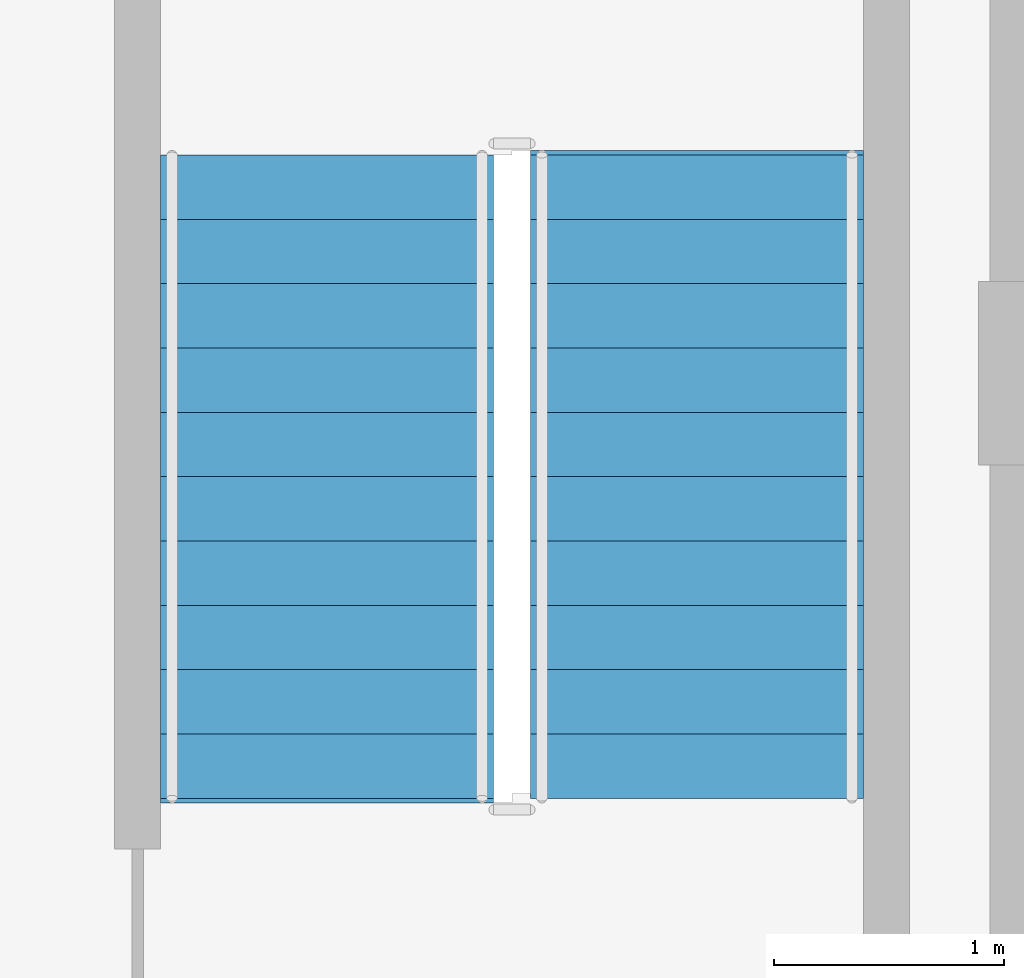
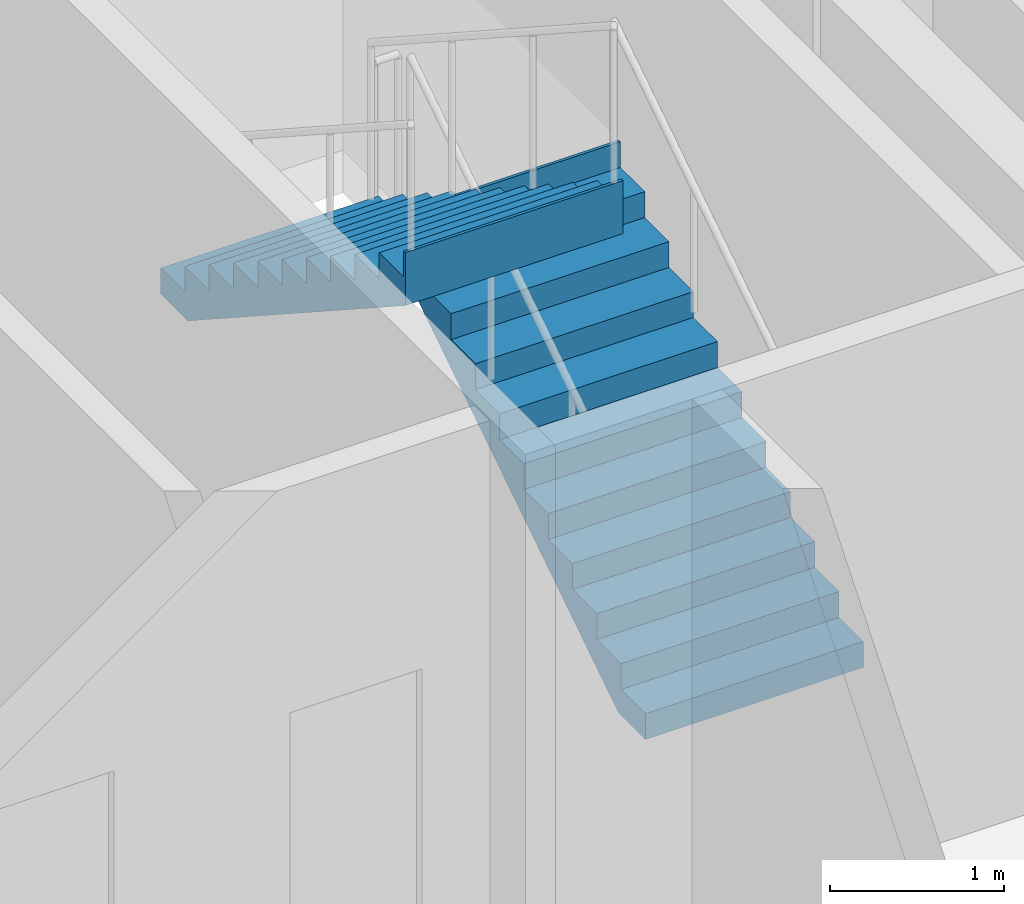
# One storey, part 4 of 10: 2 stair flights, 1 element without a shape of its own.
"""IFC4 building model written with IfcOpenShell, lengths in metres."""

from ifc_helpers import new_model, si_unit, direction, frame, origin, place, context, subcontext, project, spatial, polyline, outline, extrude, material, type_object, element, aggregate, save


model = new_model("IFC4")

# Units and contexts
model_context = context("Model", 3, precision=1e-05, world=origin(), true_north=direction((0.0, 1.0)))
body_context = subcontext(model_context, "Body", "Model", "MODEL_VIEW")
ifc_project = project(units=[si_unit("LENGTHUNIT", "METRE"), si_unit("AREAUNIT", "SQUARE_METRE"), si_unit("VOLUMEUNIT", "CUBIC_METRE"), si_unit("PLANEANGLEUNIT", "RADIAN"), si_unit("MASSUNIT", "GRAM", prefix="KILO")], contexts=[model_context])

# Site, building, storey
site_placement = place(None, origin())
site = spatial("IfcSite", under=ifc_project, at=site_placement, CompositionType="ELEMENT")
building_placement = place(site_placement, origin())
building = spatial("IfcBuilding", under=site, at=building_placement, Name="Nuvemarco Arch Tower", CompositionType="ELEMENT")
storey_placement = place(building_placement, frame((0.0, 0.0, 295.14990234375)))
storey = spatial("IfcBuildingStorey", under=building, at=storey_placement, Name="L78", CompositionType="ELEMENT", Elevation=295.14990234375)

# Stair, stair flights
ifc_material = material(Name="Precast concrete C45/55", Category="concrete")
stair_type = type_object("IfcStairType", Name="ST-CORE-22R", PredefinedType="HALF_TURN_STAIR", material=ifc_material)
stair_placement = place(storey_placement, origin())
stair = element("IfcStair", 1, at=stair_placement, inside=storey, type_object=stair_type, Name="L78 Protected Exit Stair ST-2", PredefinedType="HALF_TURN_STAIR")
stair_flight_type = type_object("IfcStairFlightType", Name="SF-CORE-22R", PredefinedType="STRAIGHT", material=ifc_material)
stair_flight_1_placement = place(storey_placement, frame((15.875, 2.64990234375, 0.0), z_axis=(0.0, 0.0, 1.0), x_axis=(0.0, 1.0, 0.0)))
stair_flight_1 = element("IfcStairFlight", 2, at=stair_flight_1_placement, type_object=stair_flight_type, Name="ST-22R flight 1", NumberOfRisers=11, NumberOfTreads=10, PredefinedType="STRAIGHT", RiserHeight=0.181818182, TreadLength=0.28, context=body_context, shape_type="SweptSolid", body=[
    extrude(outline(polyline([(0.0, 0.0), (0.0, 0.181884765625), (0.280029296875, 0.181884765625), (0.280029296875, 0.363525390625), (0.56005859375, 0.363525390625), (0.56005859375, 0.54541015625), (0.840087890625, 0.54541015625), (0.840087890625, 0.727294921875), (1.1201171875, 0.727294921875), (1.1201171875, 0.9091796875), (1.39990234375, 0.9091796875), (1.39990234375, 1.0908203125), (1.679931640625, 1.0908203125), (1.679931640625, 1.272705078125), (1.9599609375, 1.272705078125), (1.9599609375, 1.45458984375), (2.239990234375, 1.45458984375), (2.239990234375, 1.636474609375), (2.52001953125, 1.636474609375), (2.52001953125, 1.818115234375), (2.800048828125, 1.818115234375), (2.800048828125, 2.0), (2.820068359375, 2.0), (2.820068359375, 1.62744140625), (0.313720703125, 0.0), (0.0, 0.0)])), frame((0.0, 0.72509765625, 0.0), z_axis=(0.0, -1.0, 0.0), x_axis=(1.0, 0.0, 0.0)), (0.0, 0.0, 1.0), 1.449951171875),
])
stair_flight_2_placement = place(storey_placement, frame((14.264892578125, 5.449951171875, 2.0), z_axis=(0.0, 0.0, 1.0), x_axis=(0.0, -1.0, 0.0)))
stair_flight_2 = element("IfcStairFlight", 3, at=stair_flight_2_placement, type_object=stair_flight_type, Name="ST-22R flight 2", NumberOfRisers=11, NumberOfTreads=10, PredefinedType="STRAIGHT", RiserHeight=0.181818182, TreadLength=0.28, context=body_context, shape_type="SweptSolid", body=[
    extrude(outline(polyline([(0.0, 0.0), (0.0, 0.181884765625), (0.280029296875, 0.181884765625), (0.280029296875, 0.363525390625), (0.56005859375, 0.363525390625), (0.56005859375, 0.54541015625), (0.840087890625, 0.54541015625), (0.840087890625, 0.727294921875), (1.1201171875, 0.727294921875), (1.1201171875, 0.9091796875), (1.39990234375, 0.9091796875), (1.39990234375, 1.0908203125), (1.679931640625, 1.0908203125), (1.679931640625, 1.272705078125), (1.9599609375, 1.272705078125), (1.9599609375, 1.45458984375), (2.239990234375, 1.45458984375), (2.239990234375, 1.636474609375), (2.52001953125, 1.636474609375), (2.52001953125, 1.818115234375), (2.800048828125, 1.818115234375), (2.800048828125, 2.0), (2.820068359375, 2.0), (2.820068359375, 1.62744140625), (0.313720703125, 0.0), (0.0, 0.0)])), frame((0.0, 0.72509765625, 0.0), z_axis=(0.0, -1.0, 0.0), x_axis=(1.0, 0.0, 0.0)), (0.0, 0.0, 1.0), 1.449951171875),
])
aggregate(stair, [stair_flight_1, stair_flight_2])

save(model, "model.ifc")
